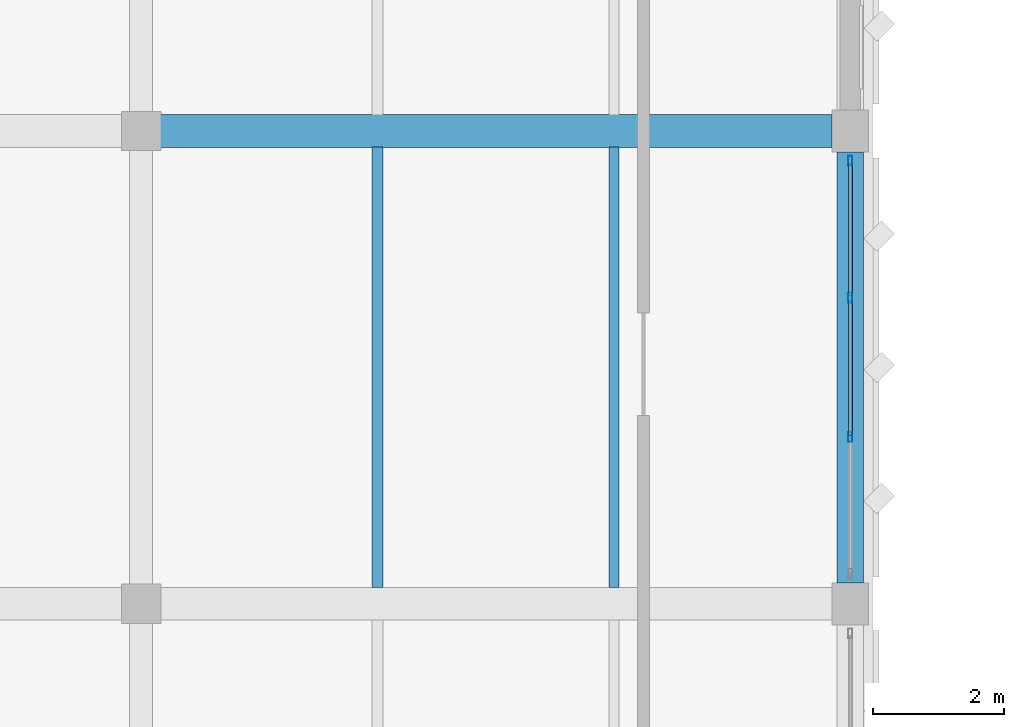
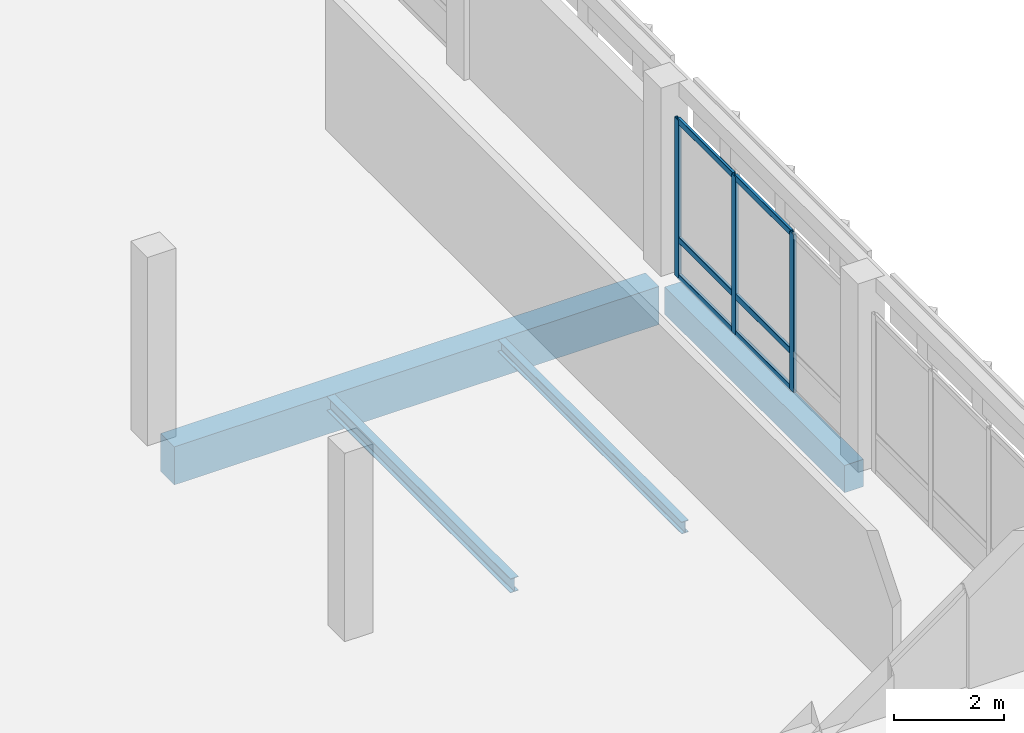
# One storey, part 14 of 158: 9 members, 4 beams, 1 element without a shape of its own.
"""IFC4 building model written with IfcOpenShell, lengths in metres."""

from ifc_helpers import new_model, si_unit, direction, frame, origin, origin_2d, place, context, subcontext, project, spatial, rectangle, hollow_rectangle, i_section, extrude, material, material_profile, profile_set, type_object, element, aggregate, save


model = new_model("IFC4")

# Units and contexts
model_context = context("Model", 3, precision=1e-05, world=origin(), true_north=direction((0.0, 1.0)))
body_context = subcontext(model_context, "Body", "Model", "MODEL_VIEW")
ifc_project = project(units=[si_unit("LENGTHUNIT", "METRE"), si_unit("AREAUNIT", "SQUARE_METRE"), si_unit("VOLUMEUNIT", "CUBIC_METRE"), si_unit("PLANEANGLEUNIT", "RADIAN"), si_unit("MASSUNIT", "GRAM", prefix="KILO")], contexts=[model_context])

# Site, building, storey
site_placement = place(None, origin())
site = spatial("IfcSite", under=ifc_project, at=site_placement, CompositionType="ELEMENT")
building_placement = place(site_placement, origin())
building = spatial("IfcBuilding", under=site, at=building_placement, Name="Lusvemor Sports Hall", CompositionType="ELEMENT")
storey_placement = place(building_placement, frame((0.0, 0.0, 10.800048828125)))
storey = spatial("IfcBuildingStorey", under=building, at=storey_placement, Name="L02", CompositionType="ELEMENT", Elevation=10.800048828125)

# Curtain wall, members
ifc_material_1 = material(Name="Thermally broken bronze-anodized aluminium", Category="aluminium")
curtain_wall_type = type_object("IfcCurtainWallType", Name="CW_WING_B", PredefinedType="NOTDEFINED", material=ifc_material_1)
curtain_wall_placement = place(storey_placement, origin())
curtain_wall = element("IfcCurtainWall", 1, at=curtain_wall_placement, inside=storey, type_object=curtain_wall_type, Name="Curtain Wall CW-L02-E-5-1", PredefinedType="NOTDEFINED")
ifc_material_2 = material(Name="Thermally broken bronze-anodized aluminium", Category="aluminium")
ifc_material_profile_1 = material_profile(ifc_material_2, hollow_rectangle(XDim=0.06494140625, YDim=0.14990234375, WallThickness=0.00390625, InnerFilletRadius=0.00390625, OuterFilletRadius=0.008056640625, at=origin_2d()), Name="CWMUL150x65x4")
ifc_profile_set_1 = profile_set([ifc_material_profile_1], Name="Thermally broken bronze-anodized aluminium")
member_type_1 = type_object("IfcMemberType", Name="CW_MUL_B", PredefinedType="MULLION", material=ifc_profile_set_1)
member_1_placement = place(storey_placement, frame((21.60009765625, 60.74755859375, 0.0), z_axis=(0.0, 0.0, 1.0), x_axis=(1.0, 0.0, 0.0)))
member_1 = element("IfcMember", 2, at=member_1_placement, type_object=member_type_1, Name="CW02 mullion 1", PredefinedType="MULLION", context=body_context, shape_type="SweptSolid", body=[
    extrude(hollow_rectangle(XDim=0.06494140625, YDim=0.14990234375, WallThickness=0.00390625, InnerFilletRadius=0.00390625, OuterFilletRadius=0.008056640625, at=origin_2d()), origin(), (0.0, 0.0, 1.0), 3.52001953125),
])
member_2_placement = place(storey_placement, frame((21.60009765625, 58.659912109375, 0.0), z_axis=(0.0, 0.0, 1.0), x_axis=(1.0, 0.0, 0.0)))
member_2 = element("IfcMember", 3, at=member_2_placement, type_object=member_type_1, Name="CW02 mullion 2", PredefinedType="MULLION", context=body_context, shape_type="SweptSolid", body=[
    extrude(hollow_rectangle(XDim=0.06494140625, YDim=0.14990234375, WallThickness=0.00390625, InnerFilletRadius=0.00390625, OuterFilletRadius=0.008056640625, at=origin_2d()), origin(), (0.0, 0.0, 1.0), 3.52001953125),
])
member_3_placement = place(storey_placement, frame((21.60009765625, 56.5400390625, 0.0), z_axis=(0.0, 0.0, 1.0), x_axis=(1.0, 0.0, 0.0)))
member_3 = element("IfcMember", 4, at=member_3_placement, type_object=member_type_1, Name="CW02 mullion 3", PredefinedType="MULLION", context=body_context, shape_type="SweptSolid", body=[
    extrude(hollow_rectangle(XDim=0.06494140625, YDim=0.14990234375, WallThickness=0.00390625, InnerFilletRadius=0.00390625, OuterFilletRadius=0.008056640625, at=origin_2d()), origin(), (0.0, 0.0, 1.0), 3.52001953125),
])
ifc_material_3 = material(Name="Thermally broken bronze-anodized aluminium", Category="aluminium")
ifc_material_profile_2 = material_profile(ifc_material_3, hollow_rectangle(XDim=0.06005859375, YDim=0.135009765625, WallThickness=0.00390625, InnerFilletRadius=0.00390625, OuterFilletRadius=0.008056640625, at=origin_2d()), Name="CWTRN135x60x4")
ifc_profile_set_2 = profile_set([ifc_material_profile_2], Name="Thermally broken bronze-anodized aluminium")
member_type_2 = type_object("IfcMemberType", Name="CW_TRN_B", PredefinedType="USERDEFINED", material=ifc_profile_set_2)
member_4_placement = place(storey_placement, frame((21.60009765625, 60.715087890625, 0.030029296875), z_axis=(0.0, -1.0, 0.0), x_axis=(1.0, 0.0, 0.0)))
member_4 = element("IfcMember", 5, at=member_4_placement, type_object=member_type_2, Name="CW02 transom 1.1", ObjectType="TRANSOM", PredefinedType="USERDEFINED", context=body_context, shape_type="SweptSolid", body=[
    extrude(hollow_rectangle(XDim=0.06005859375, YDim=0.135009765625, WallThickness=0.00390625, InnerFilletRadius=0.00390625, OuterFilletRadius=0.008056640625, at=origin_2d()), origin(), (0.0, 0.0, 1.0), 2.022705078125),
])
member_5_placement = place(storey_placement, frame((21.60009765625, 60.715087890625, 0.849853515625), z_axis=(0.0, -1.0, 0.0), x_axis=(1.0, 0.0, 0.0)))
member_5 = element("IfcMember", 6, at=member_5_placement, type_object=member_type_2, Name="CW02 transom 1.2", ObjectType="TRANSOM", PredefinedType="USERDEFINED", context=body_context, shape_type="SweptSolid", body=[
    extrude(hollow_rectangle(XDim=0.06005859375, YDim=0.135009765625, WallThickness=0.00390625, InnerFilletRadius=0.00390625, OuterFilletRadius=0.008056640625, at=origin_2d()), origin(), (0.0, 0.0, 1.0), 2.022705078125),
])
member_6_placement = place(storey_placement, frame((21.60009765625, 60.715087890625, 3.489990234375), z_axis=(0.0, -1.0, 0.0), x_axis=(1.0, 0.0, 0.0)))
member_6 = element("IfcMember", 7, at=member_6_placement, type_object=member_type_2, Name="CW02 transom 1.3", ObjectType="TRANSOM", PredefinedType="USERDEFINED", context=body_context, shape_type="SweptSolid", body=[
    extrude(hollow_rectangle(XDim=0.06005859375, YDim=0.135009765625, WallThickness=0.00390625, InnerFilletRadius=0.00390625, OuterFilletRadius=0.008056640625, at=origin_2d()), origin(), (0.0, 0.0, 1.0), 2.022705078125),
])
member_7_placement = place(storey_placement, frame((21.60009765625, 58.62744140625, 0.030029296875), z_axis=(0.0, -1.0, 0.0), x_axis=(1.0, 0.0, 0.0)))
member_7 = element("IfcMember", 8, at=member_7_placement, type_object=member_type_2, Name="CW02 transom 2.1", ObjectType="TRANSOM", PredefinedType="USERDEFINED", context=body_context, shape_type="SweptSolid", body=[
    extrude(hollow_rectangle(XDim=0.06005859375, YDim=0.135009765625, WallThickness=0.00390625, InnerFilletRadius=0.00390625, OuterFilletRadius=0.008056640625, at=origin_2d()), origin(), (0.0, 0.0, 1.0), 2.054931640625),
])
member_8_placement = place(storey_placement, frame((21.60009765625, 58.62744140625, 0.849853515625), z_axis=(0.0, -1.0, 0.0), x_axis=(1.0, 0.0, 0.0)))
member_8 = element("IfcMember", 9, at=member_8_placement, type_object=member_type_2, Name="CW02 transom 2.2", ObjectType="TRANSOM", PredefinedType="USERDEFINED", context=body_context, shape_type="SweptSolid", body=[
    extrude(hollow_rectangle(XDim=0.06005859375, YDim=0.135009765625, WallThickness=0.00390625, InnerFilletRadius=0.00390625, OuterFilletRadius=0.008056640625, at=origin_2d()), origin(), (0.0, 0.0, 1.0), 2.054931640625),
])
member_9_placement = place(storey_placement, frame((21.60009765625, 58.62744140625, 3.489990234375), z_axis=(0.0, -1.0, 0.0), x_axis=(1.0, 0.0, 0.0)))
member_9 = element("IfcMember", 10, at=member_9_placement, type_object=member_type_2, Name="CW02 transom 2.3", ObjectType="TRANSOM", PredefinedType="USERDEFINED", context=body_context, shape_type="SweptSolid", body=[
    extrude(hollow_rectangle(XDim=0.06005859375, YDim=0.135009765625, WallThickness=0.00390625, InnerFilletRadius=0.00390625, OuterFilletRadius=0.008056640625, at=origin_2d()), origin(), (0.0, 0.0, 1.0), 2.054931640625),
])
aggregate(curtain_wall, [member_1, member_2, member_3, member_4, member_5, member_6, member_7, member_8, member_9])

# Beams
ifc_material_4 = material(Name="Concrete C40/50", Category="concrete")
ifc_material_profile_3 = material_profile(ifc_material_4, rectangle(XDim=0.5, YDim=0.85009765625, at=origin_2d()), Name="RC500x850")
ifc_profile_set_3 = profile_set([ifc_material_profile_3], Name="Concrete C40/50")
beam_type_1 = type_object("IfcBeamType", Name="GIRD_RC_850", PredefinedType="T_BEAM", material=ifc_profile_set_3)
beam_1_placement = place(storey_placement, frame((11.095947265625, 61.199951171875, -0.68505859375), z_axis=(1.0, 0.0, 0.0), x_axis=(0.0, 1.0, 0.0)))
element("IfcBeam", 11, at=beam_1_placement, inside=storey, type_object=beam_type_1, Name="Beam L02 H:2-3", PredefinedType="T_BEAM", context=body_context, shape_type="SweptSolid", body=[
    extrude(rectangle(XDim=0.5, YDim=0.85009765625, at=origin_2d()), origin(), (0.0, 0.0, 1.0), 10.22802734375),
])
ifc_material_5 = material(Name="Steel S355", Category="steel")
ifc_material_profile_4 = material_profile(ifc_material_5, i_section(OverallWidth=0.14794921875, OverallDepth=0.26611328125, WebThickness=0.007568359375, FlangeThickness=0.012939453125, FilletRadius=0.012939453125, at=origin_2d()), Name="W250x44.8")
ifc_profile_set_4 = profile_set([ifc_material_profile_4], Name="Steel S355")
beam_type_2 = type_object("IfcBeamType", Name="JOIST_ST_250M", PredefinedType="JOIST", material=ifc_profile_set_4)
beam_2_placement = place(storey_placement, frame((18.0, 54.24609375, -0.39697265625), z_axis=(0.0, 1.0, 0.0), x_axis=(-1.0, 0.0, 0.0)))
element("IfcBeam", 12, at=beam_2_placement, inside=storey, type_object=beam_type_2, Name="Secondary Joist L02 2-3/G-H #2", PredefinedType="JOIST", context=body_context, shape_type="SweptSolid", body=[
    extrude(i_section(OverallWidth=0.14794921875, OverallDepth=0.26611328125, WebThickness=0.007568359375, FlangeThickness=0.012939453125, FilletRadius=0.012939453125, at=origin_2d()), origin(), (0.0, 0.0, 1.0), 6.7080078125),
])
ifc_material_6 = material(Name="Steel S355", Category="steel")
ifc_material_profile_5 = material_profile(ifc_material_6, i_section(OverallWidth=0.1669921875, OverallDepth=0.31689453125, WebThickness=0.007568359375, FlangeThickness=0.01318359375, FilletRadius=0.014892578125, at=origin_2d()), Name="W310x52.0")
ifc_profile_set_5 = profile_set([ifc_material_profile_5], Name="Steel S355")
beam_type_3 = type_object("IfcBeamType", Name="JOIST_ST_310M", PredefinedType="JOIST", material=ifc_profile_set_5)
beam_3_placement = place(storey_placement, frame((14.39990234375, 54.24609375, -0.422607421875), z_axis=(0.0, 1.0, 0.0), x_axis=(-1.0, 0.0, 0.0)))
element("IfcBeam", 13, at=beam_3_placement, inside=storey, type_object=beam_type_3, Name="Secondary Joist L02 2-3/G-H #1", PredefinedType="JOIST", context=body_context, shape_type="SweptSolid", body=[
    extrude(i_section(OverallWidth=0.1669921875, OverallDepth=0.31689453125, WebThickness=0.007568359375, FlangeThickness=0.01318359375, FilletRadius=0.014892578125, at=origin_2d()), origin(), (0.0, 0.0, 1.0), 6.7080078125),
])
ifc_material_7 = material(Name="Concrete C40/50", Category="concrete")
ifc_material_profile_6 = material_profile(ifc_material_7, rectangle(XDim=0.39990234375, YDim=0.610107421875, at=origin_2d()), Name="RC400x610")
ifc_profile_set_6 = profile_set([ifc_material_profile_6], Name="Concrete C40/50")
beam_type_4 = type_object("IfcBeamType", Name="SPAND_EXT_650", PredefinedType="SPANDREL", material=ifc_profile_set_6)
beam_4_placement = place(storey_placement, frame((21.60009765625, 54.31591796875, -0.56494140625), z_axis=(0.0, 1.0, 0.0), x_axis=(-1.0, 0.0, 0.0)))
element("IfcBeam", 14, at=beam_4_placement, inside=storey, type_object=beam_type_4, Name="Beam L02 3:G-H", PredefinedType="SPANDREL", context=body_context, shape_type="SweptSolid", body=[
    extrude(rectangle(XDim=0.39990234375, YDim=0.610107421875, at=origin_2d()), origin(), (0.0, 0.0, 1.0), 6.568115234375),
])

save(model, "model.ifc")
